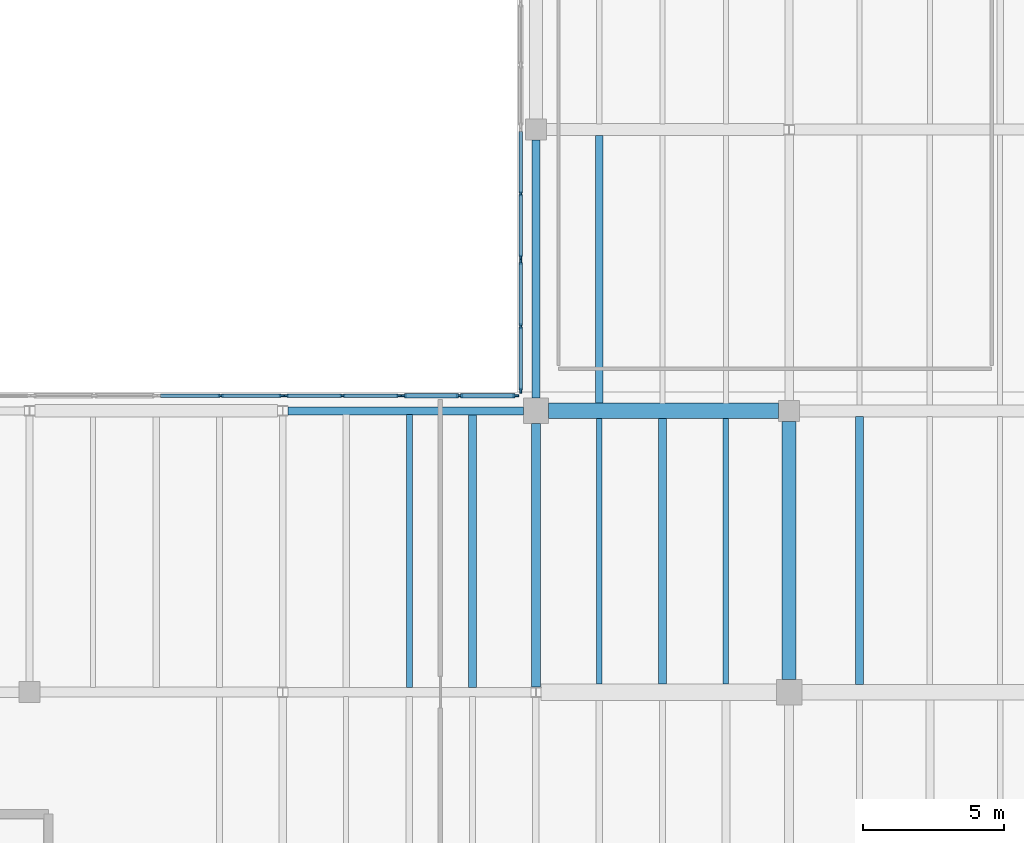
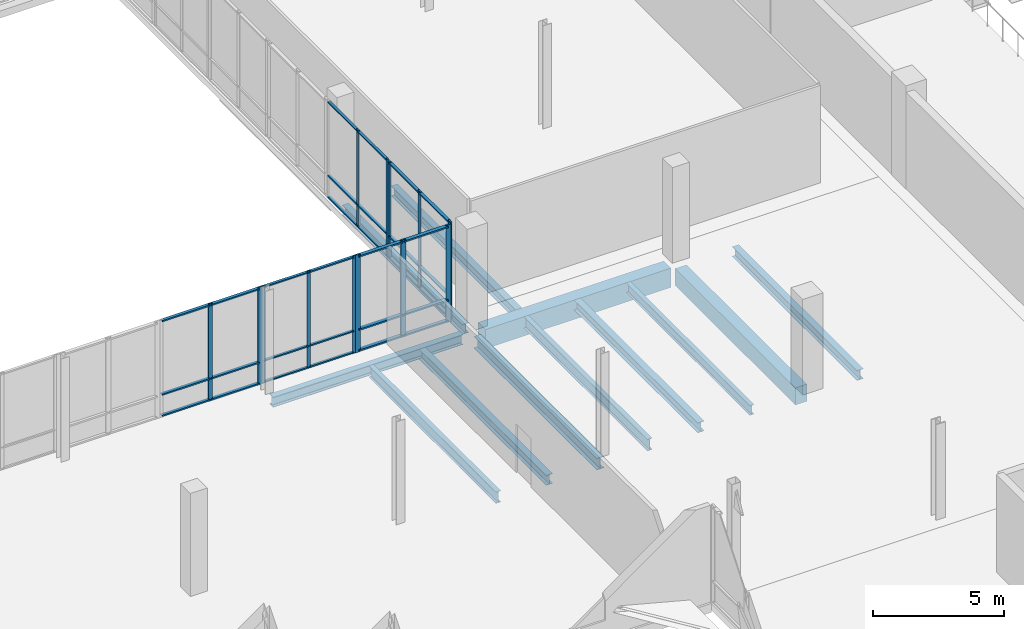
# One storey, part 15 of 41: 43 members, 12 beams, 5 elements without a shape of their own.
"""IFC4 building model written with IfcOpenShell, lengths in metres."""

from ifc_helpers import new_model, si_unit, direction, frame, origin, origin_2d, place, context, subcontext, project, spatial, rectangle, i_section, extrude, material, material_profile, profile_set, type_object, element, aggregate, save


model = new_model("IFC4")

# Units and contexts
model_context = context("Model", 3, precision=1e-05, world=origin(), true_north=direction((0.0, 1.0)))
body_context = subcontext(model_context, "Body", "Model", "MODEL_VIEW")
ifc_project = project(units=[si_unit("LENGTHUNIT", "METRE"), si_unit("AREAUNIT", "SQUARE_METRE"), si_unit("VOLUMEUNIT", "CUBIC_METRE"), si_unit("PLANEANGLEUNIT", "RADIAN"), si_unit("MASSUNIT", "GRAM", prefix="KILO")], contexts=[model_context])

# Site, building, storey
site_placement = place(None, origin())
site = spatial("IfcSite", under=ifc_project, at=site_placement, CompositionType="ELEMENT")
building_placement = place(site_placement, origin())
building = spatial("IfcBuilding", under=site, at=building_placement, Name="Trimount Lyric Opera House", CompositionType="ELEMENT")
storey_placement = place(building_placement, frame((0.0, 0.0, 20.0)))
storey = spatial("IfcBuildingStorey", under=building, at=storey_placement, Name="L04", CompositionType="ELEMENT", Elevation=20.0)

# Beams
ifc_material_1 = material(Name="Steel ASTM A992 Grade 50", Category="steel")
ifc_material_profile_1 = material_profile(ifc_material_1, i_section(OverallWidth=0.31201171875, OverallDepth=0.5458984375, WebThickness=0.013916015625, FlangeThickness=0.022216796875, FilletRadius=0.014892578125, at=origin_2d()), Name="W21X111")
ifc_profile_set_1 = profile_set([ifc_material_profile_1], Name="Steel ASTM A992 Grade 50")
beam_type_1 = type_object("IfcBeamType", Name="B-12", PredefinedType="BEAM", material=ifc_profile_set_1)
beam_1_placement = place(storey_placement, frame((45.0, 64.177978515625, -0.552978515625), z_axis=(0.0, 1.0, 0.0), x_axis=(-1.0, 0.0, 0.0)))
element("IfcBeam", 1, at=beam_1_placement, inside=storey, type_object=beam_type_1, Name="L04 girder Y-1200", PredefinedType="BEAM", context=body_context, shape_type="SweptSolid", body=[
    extrude(i_section(OverallWidth=0.31201171875, OverallDepth=0.5458984375, WebThickness=0.013916015625, FlangeThickness=0.022216796875, FilletRadius=0.014892578125, at=origin_2d()), origin(), (0.0, 0.0, 1.0), 9.3720703125),
])
ifc_material_2 = material(Name="Concrete C40/50", Category="concrete")
ifc_material_profile_2 = material_profile(ifc_material_2, rectangle(XDim=0.550048828125, YDim=0.89990234375, at=origin_2d()), Name="RC550X900")
ifc_profile_set_2 = profile_set([ifc_material_profile_2], Name="Concrete C40/50")
beam_type_2 = type_object("IfcBeamType", Name="B-14", PredefinedType="BEAM", material=ifc_profile_set_2)
beam_2_placement = place(storey_placement, frame((45.449951171875, 74.0, -0.72998046875), z_axis=(1.0, 0.0, 0.0), x_axis=(0.0, 1.0, 0.0)))
element("IfcBeam", 2, at=beam_2_placement, inside=storey, type_object=beam_type_2, Name="L04 girder X-1162", PredefinedType="BEAM", context=body_context, shape_type="SweptSolid", body=[
    extrude(rectangle(XDim=0.550048828125, YDim=0.89990234375, at=origin_2d()), origin(), (0.0, 0.0, 1.0), 8.175048828125),
])
ifc_material_3 = material(Name="Concrete C40/50", Category="concrete")
ifc_material_profile_3 = material_profile(ifc_material_3, rectangle(XDim=0.5, YDim=0.800048828125, at=origin_2d()), Name="RC500X800")
ifc_profile_set_3 = profile_set([ifc_material_profile_3], Name="Concrete C40/50")
beam_type_3 = type_object("IfcBeamType", Name="B-15", PredefinedType="BEAM", material=ifc_profile_set_3)
beam_3_placement = place(storey_placement, frame((54.0, 64.449951171875, -0.679931640625), z_axis=(0.0, 1.0, 0.0), x_axis=(-1.0, 0.0, 0.0)))
element("IfcBeam", 3, at=beam_3_placement, inside=storey, type_object=beam_type_3, Name="L04 girder Y-1210", PredefinedType="BEAM", context=body_context, shape_type="SweptSolid", body=[
    extrude(rectangle(XDim=0.5, YDim=0.800048828125, at=origin_2d()), origin(), (0.0, 0.0, 1.0), 9.175048828125),
])
ifc_material_4 = material(Name="Steel ASTM A992 Grade 50", Category="steel")
ifc_material_profile_4 = material_profile(ifc_material_4, i_section(OverallWidth=0.2099609375, OverallDepth=0.532958984375, WebThickness=0.01025390625, FlangeThickness=0.015625, FilletRadius=0.012939453125, at=origin_2d()), Name="W21X62")
ifc_profile_set_4 = profile_set([ifc_material_profile_4], Name="Steel ASTM A992 Grade 50")
beam_type_4 = type_object("IfcBeamType", Name="J-02", PredefinedType="BEAM", material=ifc_profile_set_4)
beam_4_placement = place(storey_placement, frame((40.5, 64.159912109375, -0.54638671875), z_axis=(0.0, 1.0, 0.0), x_axis=(-1.0, 0.0, 0.0)))
element("IfcBeam", 4, at=beam_4_placement, inside=storey, type_object=beam_type_4, Name="L04 composite floor joist 1145", PredefinedType="BEAM", context=body_context, shape_type="SweptSolid", body=[
    extrude(i_section(OverallWidth=0.2099609375, OverallDepth=0.532958984375, WebThickness=0.01025390625, FlangeThickness=0.015625, FilletRadius=0.012939453125, at=origin_2d()), origin(), (0.0, 0.0, 1.0), 9.703125),
])
beam_5_placement = place(storey_placement, frame((47.25, 64.2958984375, -0.54638671875), z_axis=(0.0, 1.0, 0.0), x_axis=(-1.0, 0.0, 0.0)))
element("IfcBeam", 5, at=beam_5_placement, inside=storey, type_object=beam_type_4, Name="L04 composite floor joist 1165", PredefinedType="BEAM", context=body_context, shape_type="SweptSolid", body=[
    extrude(i_section(OverallWidth=0.2099609375, OverallDepth=0.532958984375, WebThickness=0.01025390625, FlangeThickness=0.015625, FilletRadius=0.012939453125, at=origin_2d()), origin(), (0.0, 0.0, 1.0), 9.43310546875),
])
ifc_material_5 = material(Name="Steel ASTM A992 Grade 50", Category="steel")
ifc_material_profile_5 = material_profile(ifc_material_5, i_section(OverallWidth=0.281982421875, OverallDepth=0.467041015625, WebThickness=0.01220703125, FlangeThickness=0.01953125, FilletRadius=0.012939453125, at=origin_2d()), Name="W18X86")
ifc_profile_set_5 = profile_set([ifc_material_profile_5], Name="Steel ASTM A992 Grade 50")
beam_type_5 = type_object("IfcBeamType", Name="J-03", PredefinedType="BEAM", material=ifc_profile_set_5)
beam_6_placement = place(storey_placement, frame((42.75, 64.159912109375, -0.513427734375), z_axis=(0.0, 1.0, 0.0), x_axis=(-1.0, 0.0, 0.0)))
element("IfcBeam", 6, at=beam_6_placement, inside=storey, type_object=beam_type_5, Name="L04 composite floor joist 1146", PredefinedType="BEAM", context=body_context, shape_type="SweptSolid", body=[
    extrude(i_section(OverallWidth=0.281982421875, OverallDepth=0.467041015625, WebThickness=0.01220703125, FlangeThickness=0.01953125, FilletRadius=0.012939453125, at=origin_2d()), origin(), (0.0, 0.0, 1.0), 9.703125),
])
beam_7_placement = place(storey_placement, frame((49.5, 64.2958984375, -0.513427734375), z_axis=(0.0, 1.0, 0.0), x_axis=(-1.0, 0.0, 0.0)))
element("IfcBeam", 7, at=beam_7_placement, inside=storey, type_object=beam_type_5, Name="L04 composite floor joist 1166", PredefinedType="BEAM", context=body_context, shape_type="SweptSolid", body=[
    extrude(i_section(OverallWidth=0.281982421875, OverallDepth=0.467041015625, WebThickness=0.01220703125, FlangeThickness=0.01953125, FilletRadius=0.012939453125, at=origin_2d()), origin(), (0.0, 0.0, 1.0), 9.43310546875),
])
for number, where, z_axis, x_axis, name in (
    (8, (47.25, 74.27099609375, -0.513427734375), (0.0, 1.0, 0.0), (-1.0, 0.0, 0.0), "L04 composite floor joist 1168"),
    (9, (56.5, 64.27099609375, -0.513427734375), (0.0, 1.0, 0.0), (-1.0, 0.0, 0.0), "L04 composite floor joist 1186"),
):
    element("IfcBeam", number, at=place(storey_placement, frame(where, z_axis=z_axis, x_axis=x_axis)), inside=storey, type_object=beam_type_5, Name=name, PredefinedType="BEAM", context=body_context, shape_type="SweptSolid", body=[
        extrude(i_section(OverallWidth=0.281982421875, OverallDepth=0.467041015625, WebThickness=0.01220703125, FlangeThickness=0.01953125, FilletRadius=0.012939453125, at=origin_2d()), origin(), (0.0, 0.0, 1.0), 9.5234375),
    ])
ifc_material_6 = material(Name="Steel ASTM A992 Grade 50", Category="steel")
ifc_material_profile_6 = material_profile(ifc_material_6, i_section(OverallWidth=0.19091796875, OverallDepth=0.45703125, WebThickness=0.009033203125, FlangeThickness=0.014404296875, FilletRadius=0.010986328125, at=origin_2d()), Name="W18X50")
ifc_profile_set_6 = profile_set([ifc_material_profile_6], Name="Steel ASTM A992 Grade 50")
beam_type_6 = type_object("IfcBeamType", Name="J-04", PredefinedType="BEAM", material=ifc_profile_set_6)
beam_8_placement = place(storey_placement, frame((51.75, 64.2958984375, -0.508544921875), z_axis=(0.0, 1.0, 0.0), x_axis=(-1.0, 0.0, 0.0)))
element("IfcBeam", 10, at=beam_8_placement, inside=storey, type_object=beam_type_6, Name="L04 composite floor joist 1167", PredefinedType="BEAM", context=body_context, shape_type="SweptSolid", body=[
    extrude(i_section(OverallWidth=0.19091796875, OverallDepth=0.45703125, WebThickness=0.009033203125, FlangeThickness=0.014404296875, FilletRadius=0.010986328125, at=origin_2d()), origin(), (0.0, 0.0, 1.0), 9.43310546875),
])

# Curtain wall, members
ifc_material_7 = material(Name="Thermally Broken Aluminium and Low-E Glass", Category="aluminium")
curtain_wall_type = type_object("IfcCurtainWallType", Name="CW-03", PredefinedType="NOTDEFINED", material=ifc_material_7)
curtain_wall_1_placement = place(storey_placement, origin())
curtain_wall_1 = element("IfcCurtainWall", 11, at=curtain_wall_1_placement, inside=storey, type_object=curtain_wall_type, Name="L04 curtain wall 312", PredefinedType="NOTDEFINED")
ifc_material_8 = material(Name="Anodised Aluminium 6063-T6", Category="aluminium")
ifc_material_profile_7 = material_profile(ifc_material_8, rectangle(XDim=0.070068359375, YDim=0.219970703125, at=origin_2d()), Name="ALU-MULL-70X220")
ifc_profile_set_7 = profile_set([ifc_material_profile_7], Name="Anodised Aluminium 6063-T6")
member_type_1 = type_object("IfcMemberType", Name="ML-01", PredefinedType="MULLION", material=ifc_profile_set_7)
member_1_placement = place(storey_placement, frame((40.284912109375, 74.5400390625, 0.0), z_axis=(0.0, 0.0, 1.0), x_axis=(0.0, 1.0, 0.0)))
member_1 = element("IfcMember", 12, at=member_1_placement, type_object=member_type_1, Name="CW-03 mullion 1", PredefinedType="MULLION", context=body_context, shape_type="SweptSolid", body=[
    extrude(rectangle(XDim=0.070068359375, YDim=0.219970703125, at=origin_2d()), origin(), (0.0, 0.0, 1.0), 4.5400390625),
])
member_2_placement = place(storey_placement, frame((42.284912109375, 74.5400390625, 0.0), z_axis=(0.0, 0.0, 1.0), x_axis=(0.0, 1.0, 0.0)))
member_2 = element("IfcMember", 13, at=member_2_placement, type_object=member_type_1, Name="CW-03 mullion 2", PredefinedType="MULLION", context=body_context, shape_type="SweptSolid", body=[
    extrude(rectangle(XDim=0.070068359375, YDim=0.219970703125, at=origin_2d()), origin(), (0.0, 0.0, 1.0), 4.5400390625),
])
member_3_placement = place(storey_placement, frame((44.284912109375, 74.5400390625, 0.0), z_axis=(0.0, 0.0, 1.0), x_axis=(0.0, 1.0, 0.0)))
member_3 = element("IfcMember", 14, at=member_3_placement, type_object=member_type_1, Name="CW-03 mullion 3", PredefinedType="MULLION", context=body_context, shape_type="SweptSolid", body=[
    extrude(rectangle(XDim=0.070068359375, YDim=0.219970703125, at=origin_2d()), origin(), (0.0, 0.0, 1.0), 4.5400390625),
])

curtain_wall_2_placement = place(storey_placement, origin())
curtain_wall_2 = element("IfcCurtainWall", 15, at=curtain_wall_2_placement, inside=storey, type_object=curtain_wall_type, Name="L04 curtain wall 310", PredefinedType="NOTDEFINED")
ifc_material_9 = material(Name="Anodised Aluminium 6063-T6", Category="aluminium")
ifc_material_profile_8 = material_profile(ifc_material_9, rectangle(XDim=0.06494140625, YDim=0.179931640625, at=origin_2d()), Name="ALU-MULL-65X180")
ifc_profile_set_8 = profile_set([ifc_material_profile_8], Name="Anodised Aluminium 6063-T6")
member_type_2 = type_object("IfcMemberType", Name="ML-02", PredefinedType="MULLION", material=ifc_profile_set_8)
member_4_placement = place(storey_placement, frame((33.794921875, 74.5400390625, 0.0), z_axis=(0.0, 0.0, 1.0), x_axis=(0.0, 1.0, 0.0)))
member_4 = element("IfcMember", 16, at=member_4_placement, type_object=member_type_2, Name="CW-03 mullion 2", PredefinedType="MULLION", context=body_context, shape_type="SweptSolid", body=[
    extrude(rectangle(XDim=0.06494140625, YDim=0.179931640625, at=origin_2d()), origin(), (0.0, 0.0, 1.0), 4.5400390625),
])
member_5_placement = place(storey_placement, frame((35.967529296875, 74.5400390625, 0.0), z_axis=(0.0, 0.0, 1.0), x_axis=(0.0, 1.0, 0.0)))
member_5 = element("IfcMember", 17, at=member_5_placement, type_object=member_type_2, Name="CW-03 mullion 3", PredefinedType="MULLION", context=body_context, shape_type="SweptSolid", body=[
    extrude(rectangle(XDim=0.06494140625, YDim=0.179931640625, at=origin_2d()), origin(), (0.0, 0.0, 1.0), 4.5400390625),
])

curtain_wall_3_placement = place(storey_placement, origin())
curtain_wall_3 = element("IfcCurtainWall", 18, at=curtain_wall_3_placement, inside=storey, type_object=curtain_wall_type, Name="L04 curtain wall 313", PredefinedType="NOTDEFINED")
member_6_placement = place(storey_placement, frame((44.4599609375, 74.71240234375, 0.0), z_axis=(0.0, 0.0, 1.0), x_axis=(-1.0, 0.0, 0.0)))
member_6 = element("IfcMember", 19, at=member_6_placement, type_object=member_type_2, Name="CW-03 mullion 1", PredefinedType="MULLION", context=body_context, shape_type="SweptSolid", body=[
    extrude(rectangle(XDim=0.06494140625, YDim=0.179931640625, at=origin_2d()), origin(), (0.0, 0.0, 1.0), 4.5400390625),
])
member_7_placement = place(storey_placement, frame((44.4599609375, 77.010009765625, 0.0), z_axis=(0.0, 0.0, 1.0), x_axis=(-1.0, 0.0, 0.0)))
member_7 = element("IfcMember", 20, at=member_7_placement, type_object=member_type_2, Name="CW-03 mullion 2", PredefinedType="MULLION", context=body_context, shape_type="SweptSolid", body=[
    extrude(rectangle(XDim=0.06494140625, YDim=0.179931640625, at=origin_2d()), origin(), (0.0, 0.0, 1.0), 4.5400390625),
])
member_8_placement = place(storey_placement, frame((44.4599609375, 79.3076171875, 0.0), z_axis=(0.0, 0.0, 1.0), x_axis=(-1.0, 0.0, 0.0)))
member_8 = element("IfcMember", 21, at=member_8_placement, type_object=member_type_2, Name="CW-03 mullion 3", PredefinedType="MULLION", context=body_context, shape_type="SweptSolid", body=[
    extrude(rectangle(XDim=0.06494140625, YDim=0.179931640625, at=origin_2d()), origin(), (0.0, 0.0, 1.0), 4.5400390625),
])

curtain_wall_4_placement = place(storey_placement, origin())
curtain_wall_4 = element("IfcCurtainWall", 22, at=curtain_wall_4_placement, inside=storey, type_object=curtain_wall_type, Name="L04 curtain wall 311", PredefinedType="NOTDEFINED")
ifc_material_10 = material(Name="Anodised Aluminium 6063-T6", Category="aluminium")
ifc_material_profile_9 = material_profile(ifc_material_10, rectangle(XDim=0.06005859375, YDim=0.14990234375, at=origin_2d()), Name="ALU-MULL-60X150")
ifc_profile_set_9 = profile_set([ifc_material_profile_9], Name="Anodised Aluminium 6063-T6")
member_type_3 = type_object("IfcMemberType", Name="ML-03", PredefinedType="MULLION", material=ifc_profile_set_9)
member_9_placement = place(storey_placement, frame((36.1201171875, 74.5400390625, 0.0), z_axis=(0.0, 0.0, 1.0), x_axis=(0.0, 1.0, 0.0)))
member_9 = element("IfcMember", 23, at=member_9_placement, type_object=member_type_3, Name="CW-03 mullion 1", PredefinedType="MULLION", context=body_context, shape_type="SweptSolid", body=[
    extrude(rectangle(XDim=0.06005859375, YDim=0.14990234375, at=origin_2d()), origin(), (0.0, 0.0, 1.0), 4.5400390625),
])
member_10_placement = place(storey_placement, frame((38.125, 74.5400390625, 0.0), z_axis=(0.0, 0.0, 1.0), x_axis=(0.0, 1.0, 0.0)))
member_10 = element("IfcMember", 24, at=member_10_placement, type_object=member_type_3, Name="CW-03 mullion 2", PredefinedType="MULLION", context=body_context, shape_type="SweptSolid", body=[
    extrude(rectangle(XDim=0.06005859375, YDim=0.14990234375, at=origin_2d()), origin(), (0.0, 0.0, 1.0), 4.5400390625),
])
member_11_placement = place(storey_placement, frame((40.1298828125, 74.5400390625, 0.0), z_axis=(0.0, 0.0, 1.0), x_axis=(0.0, 1.0, 0.0)))
member_11 = element("IfcMember", 25, at=member_11_placement, type_object=member_type_3, Name="CW-03 mullion 3", PredefinedType="MULLION", context=body_context, shape_type="SweptSolid", body=[
    extrude(rectangle(XDim=0.06005859375, YDim=0.14990234375, at=origin_2d()), origin(), (0.0, 0.0, 1.0), 4.5400390625),
])

curtain_wall_5_placement = place(storey_placement, origin())
curtain_wall_5 = element("IfcCurtainWall", 26, at=curtain_wall_5_placement, inside=storey, type_object=curtain_wall_type, Name="L04 curtain wall 314", PredefinedType="NOTDEFINED")
member_12_placement = place(storey_placement, frame((44.4599609375, 79.4599609375, 0.0), z_axis=(0.0, 0.0, 1.0), x_axis=(-1.0, 0.0, 0.0)))
member_12 = element("IfcMember", 27, at=member_12_placement, type_object=member_type_3, Name="CW-03 mullion 1", PredefinedType="MULLION", context=body_context, shape_type="SweptSolid", body=[
    extrude(rectangle(XDim=0.06005859375, YDim=0.14990234375, at=origin_2d()), origin(), (0.0, 0.0, 1.0), 4.5400390625),
])
member_13_placement = place(storey_placement, frame((44.4599609375, 81.715087890625, 0.0), z_axis=(0.0, 0.0, 1.0), x_axis=(-1.0, 0.0, 0.0)))
member_13 = element("IfcMember", 28, at=member_13_placement, type_object=member_type_3, Name="CW-03 mullion 2", PredefinedType="MULLION", context=body_context, shape_type="SweptSolid", body=[
    extrude(rectangle(XDim=0.06005859375, YDim=0.14990234375, at=origin_2d()), origin(), (0.0, 0.0, 1.0), 4.5400390625),
])

# Beams
ifc_material_11 = material(Name="Steel ASTM A992 Grade 50", Category="steel")
ifc_material_profile_10 = material_profile(ifc_material_11, i_section(OverallWidth=0.281982421875, OverallDepth=0.467041015625, WebThickness=0.01220703125, FlangeThickness=0.01953125, FilletRadius=0.012939453125, at=origin_2d()), Name="W18X86")
ifc_profile_set_10 = profile_set([ifc_material_profile_10], Name="Steel ASTM A992 Grade 50")
beam_type_7 = type_object("IfcBeamType", Name="SP-01", PredefinedType="SPANDREL", material=ifc_profile_set_10)
beam_9_placement = place(storey_placement, frame((36.18408203125, 74.0, -0.513427734375), z_axis=(1.0, 0.0, 0.0), x_axis=(0.0, 1.0, 0.0)))
element("IfcBeam", 29, at=beam_9_placement, inside=storey, type_object=beam_type_7, Name="L04 girder X-1161", PredefinedType="SPANDREL", context=body_context, shape_type="SweptSolid", body=[
    extrude(i_section(OverallWidth=0.281982421875, OverallDepth=0.467041015625, WebThickness=0.01220703125, FlangeThickness=0.01953125, FilletRadius=0.012939453125, at=origin_2d()), origin(), (0.0, 0.0, 1.0), 8.365966796875),
])
beam_10_placement = place(storey_placement, frame((45.0, 74.449951171875, -0.513427734375), z_axis=(0.0, 1.0, 0.0), x_axis=(-1.0, 0.0, 0.0)))
element("IfcBeam", 30, at=beam_10_placement, inside=storey, type_object=beam_type_7, Name="L04 girder Y-1201", PredefinedType="SPANDREL", context=body_context, shape_type="SweptSolid", body=[
    extrude(i_section(OverallWidth=0.281982421875, OverallDepth=0.467041015625, WebThickness=0.01220703125, FlangeThickness=0.01953125, FilletRadius=0.012939453125, at=origin_2d()), origin(), (0.0, 0.0, 1.0), 9.175048828125),
])

# Member
ifc_material_12 = material(Name="Anodised Aluminium 6063-T6", Category="aluminium")
ifc_material_profile_11 = material_profile(ifc_material_12, rectangle(XDim=0.159912109375, YDim=0.070068359375, at=origin_2d()), Name="ALU-TRAN-70X160")
ifc_profile_set_11 = profile_set([ifc_material_profile_11], Name="Anodised Aluminium 6063-T6")
member_type_4 = type_object("IfcMemberType", Name="TR-01", PredefinedType="USERDEFINED", material=ifc_profile_set_11)
member_14_placement = place(storey_placement, frame((40.320068359375, 74.5400390625, 0.080078125), z_axis=(1.0, 0.0, 0.0), x_axis=(0.0, 1.0, 0.0)))
member_14 = element("IfcMember", 31, at=member_14_placement, type_object=member_type_4, Name="CW-03 transom 1.1", ObjectType="TRANSOM", PredefinedType="USERDEFINED", context=body_context, shape_type="SweptSolid", body=[
    extrude(rectangle(XDim=0.159912109375, YDim=0.070068359375, at=origin_2d()), origin(), (0.0, 0.0, 1.0), 1.929931640625),
])

member_15_placement = place(storey_placement, frame((40.320068359375, 74.5400390625, 1.050048828125), z_axis=(1.0, 0.0, 0.0), x_axis=(0.0, 1.0, 0.0)))
member_15 = element("IfcMember", 32, at=member_15_placement, type_object=member_type_4, Name="CW-03 transom 1.2", ObjectType="TRANSOM", PredefinedType="USERDEFINED", context=body_context, shape_type="SweptSolid", body=[
    extrude(rectangle(XDim=0.159912109375, YDim=0.070068359375, at=origin_2d()), origin(), (0.0, 0.0, 1.0), 1.929931640625),
])

member_16_placement = place(storey_placement, frame((40.320068359375, 74.5400390625, 4.4599609375), z_axis=(1.0, 0.0, 0.0), x_axis=(0.0, 1.0, 0.0)))
member_16 = element("IfcMember", 33, at=member_16_placement, type_object=member_type_4, Name="CW-03 transom 1.3", ObjectType="TRANSOM", PredefinedType="USERDEFINED", context=body_context, shape_type="SweptSolid", body=[
    extrude(rectangle(XDim=0.159912109375, YDim=0.070068359375, at=origin_2d()), origin(), (0.0, 0.0, 1.0), 1.929931640625),
])

member_17_placement = place(storey_placement, frame((42.320068359375, 74.5400390625, 0.080078125), z_axis=(1.0, 0.0, 0.0), x_axis=(0.0, 1.0, 0.0)))
member_17 = element("IfcMember", 34, at=member_17_placement, type_object=member_type_4, Name="CW-03 transom 2.1", ObjectType="TRANSOM", PredefinedType="USERDEFINED", context=body_context, shape_type="SweptSolid", body=[
    extrude(rectangle(XDim=0.159912109375, YDim=0.070068359375, at=origin_2d()), origin(), (0.0, 0.0, 1.0), 1.929931640625),
])

member_18_placement = place(storey_placement, frame((42.320068359375, 74.5400390625, 1.050048828125), z_axis=(1.0, 0.0, 0.0), x_axis=(0.0, 1.0, 0.0)))
member_18 = element("IfcMember", 35, at=member_18_placement, type_object=member_type_4, Name="CW-03 transom 2.2", ObjectType="TRANSOM", PredefinedType="USERDEFINED", context=body_context, shape_type="SweptSolid", body=[
    extrude(rectangle(XDim=0.159912109375, YDim=0.070068359375, at=origin_2d()), origin(), (0.0, 0.0, 1.0), 1.929931640625),
])

member_19_placement = place(storey_placement, frame((42.320068359375, 74.5400390625, 4.4599609375), z_axis=(1.0, 0.0, 0.0), x_axis=(0.0, 1.0, 0.0)))
member_19 = element("IfcMember", 36, at=member_19_placement, type_object=member_type_4, Name="CW-03 transom 2.3", ObjectType="TRANSOM", PredefinedType="USERDEFINED", context=body_context, shape_type="SweptSolid", body=[
    extrude(rectangle(XDim=0.159912109375, YDim=0.070068359375, at=origin_2d()), origin(), (0.0, 0.0, 1.0), 1.929931640625),
])

aggregate(curtain_wall_1, [member_1, member_2, member_3, member_14, member_15, member_16, member_17, member_18, member_19])

ifc_material_13 = material(Name="Anodised Aluminium 6063-T6", Category="aluminium")
ifc_material_profile_12 = material_profile(ifc_material_13, rectangle(XDim=0.135009765625, YDim=0.06494140625, at=origin_2d()), Name="ALU-TRAN-65X135")
ifc_profile_set_12 = profile_set([ifc_material_profile_12], Name="Anodised Aluminium 6063-T6")
member_type_5 = type_object("IfcMemberType", Name="TR-02", PredefinedType="USERDEFINED", material=ifc_profile_set_12)
member_20_placement = place(storey_placement, frame((31.655029296875, 74.5400390625, 0.0673828125), z_axis=(1.0, 0.0, 0.0), x_axis=(0.0, 1.0, 0.0)))
member_20 = element("IfcMember", 37, at=member_20_placement, type_object=member_type_5, Name="CW-03 transom 1.1", ObjectType="TRANSOM", PredefinedType="USERDEFINED", context=body_context, shape_type="SweptSolid", body=[
    extrude(rectangle(XDim=0.135009765625, YDim=0.06494140625, at=origin_2d()), origin(), (0.0, 0.0, 1.0), 2.107421875),
])

member_21_placement = place(storey_placement, frame((31.655029296875, 74.5400390625, 1.050048828125), z_axis=(1.0, 0.0, 0.0), x_axis=(0.0, 1.0, 0.0)))
member_21 = element("IfcMember", 38, at=member_21_placement, type_object=member_type_5, Name="CW-03 transom 1.2", ObjectType="TRANSOM", PredefinedType="USERDEFINED", context=body_context, shape_type="SweptSolid", body=[
    extrude(rectangle(XDim=0.135009765625, YDim=0.06494140625, at=origin_2d()), origin(), (0.0, 0.0, 1.0), 2.107421875),
])

member_22_placement = place(storey_placement, frame((31.655029296875, 74.5400390625, 4.472412109375), z_axis=(1.0, 0.0, 0.0), x_axis=(0.0, 1.0, 0.0)))
member_22 = element("IfcMember", 39, at=member_22_placement, type_object=member_type_5, Name="CW-03 transom 1.3", ObjectType="TRANSOM", PredefinedType="USERDEFINED", context=body_context, shape_type="SweptSolid", body=[
    extrude(rectangle(XDim=0.135009765625, YDim=0.06494140625, at=origin_2d()), origin(), (0.0, 0.0, 1.0), 2.107421875),
])

member_23_placement = place(storey_placement, frame((33.827392578125, 74.5400390625, 0.0673828125), z_axis=(1.0, 0.0, 0.0), x_axis=(0.0, 1.0, 0.0)))
member_23 = element("IfcMember", 40, at=member_23_placement, type_object=member_type_5, Name="CW-03 transom 2.1", ObjectType="TRANSOM", PredefinedType="USERDEFINED", context=body_context, shape_type="SweptSolid", body=[
    extrude(rectangle(XDim=0.135009765625, YDim=0.06494140625, at=origin_2d()), origin(), (0.0, 0.0, 1.0), 2.107666015625),
])

member_24_placement = place(storey_placement, frame((33.827392578125, 74.5400390625, 1.050048828125), z_axis=(1.0, 0.0, 0.0), x_axis=(0.0, 1.0, 0.0)))
member_24 = element("IfcMember", 41, at=member_24_placement, type_object=member_type_5, Name="CW-03 transom 2.2", ObjectType="TRANSOM", PredefinedType="USERDEFINED", context=body_context, shape_type="SweptSolid", body=[
    extrude(rectangle(XDim=0.135009765625, YDim=0.06494140625, at=origin_2d()), origin(), (0.0, 0.0, 1.0), 2.107666015625),
])

member_25_placement = place(storey_placement, frame((33.827392578125, 74.5400390625, 4.472412109375), z_axis=(1.0, 0.0, 0.0), x_axis=(0.0, 1.0, 0.0)))
member_25 = element("IfcMember", 42, at=member_25_placement, type_object=member_type_5, Name="CW-03 transom 2.3", ObjectType="TRANSOM", PredefinedType="USERDEFINED", context=body_context, shape_type="SweptSolid", body=[
    extrude(rectangle(XDim=0.135009765625, YDim=0.06494140625, at=origin_2d()), origin(), (0.0, 0.0, 1.0), 2.107666015625),
])

aggregate(curtain_wall_2, [member_4, member_5, member_20, member_21, member_22, member_23, member_24, member_25])

member_26_placement = place(storey_placement, frame((44.4599609375, 74.7451171875, 0.0673828125), z_axis=(0.0, 1.0, 0.0), x_axis=(-1.0, 0.0, 0.0)))
member_26 = element("IfcMember", 43, at=member_26_placement, type_object=member_type_5, Name="CW-03 transom 1.1", ObjectType="TRANSOM", PredefinedType="USERDEFINED", context=body_context, shape_type="SweptSolid", body=[
    extrude(rectangle(XDim=0.135009765625, YDim=0.06494140625, at=origin_2d()), origin(), (0.0, 0.0, 1.0), 2.232421875),
])

member_27_placement = place(storey_placement, frame((44.4599609375, 74.7451171875, 1.050048828125), z_axis=(0.0, 1.0, 0.0), x_axis=(-1.0, 0.0, 0.0)))
member_27 = element("IfcMember", 44, at=member_27_placement, type_object=member_type_5, Name="CW-03 transom 1.2", ObjectType="TRANSOM", PredefinedType="USERDEFINED", context=body_context, shape_type="SweptSolid", body=[
    extrude(rectangle(XDim=0.135009765625, YDim=0.06494140625, at=origin_2d()), origin(), (0.0, 0.0, 1.0), 2.232421875),
])

member_28_placement = place(storey_placement, frame((44.4599609375, 74.7451171875, 4.472412109375), z_axis=(0.0, 1.0, 0.0), x_axis=(-1.0, 0.0, 0.0)))
member_28 = element("IfcMember", 45, at=member_28_placement, type_object=member_type_5, Name="CW-03 transom 1.3", ObjectType="TRANSOM", PredefinedType="USERDEFINED", context=body_context, shape_type="SweptSolid", body=[
    extrude(rectangle(XDim=0.135009765625, YDim=0.06494140625, at=origin_2d()), origin(), (0.0, 0.0, 1.0), 2.232421875),
])

member_29_placement = place(storey_placement, frame((44.4599609375, 77.04248046875, 0.0673828125), z_axis=(0.0, 1.0, 0.0), x_axis=(-1.0, 0.0, 0.0)))
member_29 = element("IfcMember", 46, at=member_29_placement, type_object=member_type_5, Name="CW-03 transom 2.1", ObjectType="TRANSOM", PredefinedType="USERDEFINED", context=body_context, shape_type="SweptSolid", body=[
    extrude(rectangle(XDim=0.135009765625, YDim=0.06494140625, at=origin_2d()), origin(), (0.0, 0.0, 1.0), 2.232421875),
])

member_30_placement = place(storey_placement, frame((44.4599609375, 77.04248046875, 1.050048828125), z_axis=(0.0, 1.0, 0.0), x_axis=(-1.0, 0.0, 0.0)))
member_30 = element("IfcMember", 47, at=member_30_placement, type_object=member_type_5, Name="CW-03 transom 2.2", ObjectType="TRANSOM", PredefinedType="USERDEFINED", context=body_context, shape_type="SweptSolid", body=[
    extrude(rectangle(XDim=0.135009765625, YDim=0.06494140625, at=origin_2d()), origin(), (0.0, 0.0, 1.0), 2.232421875),
])

member_31_placement = place(storey_placement, frame((44.4599609375, 77.04248046875, 4.472412109375), z_axis=(0.0, 1.0, 0.0), x_axis=(-1.0, 0.0, 0.0)))
member_31 = element("IfcMember", 48, at=member_31_placement, type_object=member_type_5, Name="CW-03 transom 2.3", ObjectType="TRANSOM", PredefinedType="USERDEFINED", context=body_context, shape_type="SweptSolid", body=[
    extrude(rectangle(XDim=0.135009765625, YDim=0.06494140625, at=origin_2d()), origin(), (0.0, 0.0, 1.0), 2.232421875),
])

aggregate(curtain_wall_3, [member_6, member_7, member_8, member_26, member_27, member_28, member_29, member_30, member_31])

ifc_material_14 = material(Name="Anodised Aluminium 6063-T6", Category="aluminium")
ifc_material_profile_13 = material_profile(ifc_material_14, rectangle(XDim=0.114990234375, YDim=0.06005859375, at=origin_2d()), Name="ALU-TRAN-60X115")
ifc_profile_set_13 = profile_set([ifc_material_profile_13], Name="Anodised Aluminium 6063-T6")
member_type_6 = type_object("IfcMemberType", Name="TR-03", PredefinedType="USERDEFINED", material=ifc_profile_set_13)
member_32_placement = place(storey_placement, frame((36.14990234375, 74.5400390625, 0.0576171875), z_axis=(1.0, 0.0, 0.0), x_axis=(0.0, 1.0, 0.0)))
member_32 = element("IfcMember", 49, at=member_32_placement, type_object=member_type_6, Name="CW-03 transom 1.1", ObjectType="TRANSOM", PredefinedType="USERDEFINED", context=body_context, shape_type="SweptSolid", body=[
    extrude(rectangle(XDim=0.114990234375, YDim=0.06005859375, at=origin_2d()), origin(), (0.0, 0.0, 1.0), 1.945068359375),
])

member_33_placement = place(storey_placement, frame((36.14990234375, 74.5400390625, 1.050048828125), z_axis=(1.0, 0.0, 0.0), x_axis=(0.0, 1.0, 0.0)))
member_33 = element("IfcMember", 50, at=member_33_placement, type_object=member_type_6, Name="CW-03 transom 1.2", ObjectType="TRANSOM", PredefinedType="USERDEFINED", context=body_context, shape_type="SweptSolid", body=[
    extrude(rectangle(XDim=0.114990234375, YDim=0.06005859375, at=origin_2d()), origin(), (0.0, 0.0, 1.0), 1.945068359375),
])

member_34_placement = place(storey_placement, frame((36.14990234375, 74.5400390625, 4.482421875), z_axis=(1.0, 0.0, 0.0), x_axis=(0.0, 1.0, 0.0)))
member_34 = element("IfcMember", 51, at=member_34_placement, type_object=member_type_6, Name="CW-03 transom 1.3", ObjectType="TRANSOM", PredefinedType="USERDEFINED", context=body_context, shape_type="SweptSolid", body=[
    extrude(rectangle(XDim=0.114990234375, YDim=0.06005859375, at=origin_2d()), origin(), (0.0, 0.0, 1.0), 1.945068359375),
])

member_35_placement = place(storey_placement, frame((38.155029296875, 74.5400390625, 0.0576171875), z_axis=(1.0, 0.0, 0.0), x_axis=(0.0, 1.0, 0.0)))
member_35 = element("IfcMember", 52, at=member_35_placement, type_object=member_type_6, Name="CW-03 transom 2.1", ObjectType="TRANSOM", PredefinedType="USERDEFINED", context=body_context, shape_type="SweptSolid", body=[
    extrude(rectangle(XDim=0.114990234375, YDim=0.06005859375, at=origin_2d()), origin(), (0.0, 0.0, 1.0), 1.945068359375),
])

member_36_placement = place(storey_placement, frame((38.155029296875, 74.5400390625, 1.050048828125), z_axis=(1.0, 0.0, 0.0), x_axis=(0.0, 1.0, 0.0)))
member_36 = element("IfcMember", 53, at=member_36_placement, type_object=member_type_6, Name="CW-03 transom 2.2", ObjectType="TRANSOM", PredefinedType="USERDEFINED", context=body_context, shape_type="SweptSolid", body=[
    extrude(rectangle(XDim=0.114990234375, YDim=0.06005859375, at=origin_2d()), origin(), (0.0, 0.0, 1.0), 1.945068359375),
])

member_37_placement = place(storey_placement, frame((38.155029296875, 74.5400390625, 4.482421875), z_axis=(1.0, 0.0, 0.0), x_axis=(0.0, 1.0, 0.0)))
member_37 = element("IfcMember", 54, at=member_37_placement, type_object=member_type_6, Name="CW-03 transom 2.3", ObjectType="TRANSOM", PredefinedType="USERDEFINED", context=body_context, shape_type="SweptSolid", body=[
    extrude(rectangle(XDim=0.114990234375, YDim=0.06005859375, at=origin_2d()), origin(), (0.0, 0.0, 1.0), 1.945068359375),
])

aggregate(curtain_wall_4, [member_9, member_10, member_11, member_32, member_33, member_34, member_35, member_36, member_37])

member_38_placement = place(storey_placement, frame((44.4599609375, 79.489990234375, 0.0576171875), z_axis=(0.0, 1.0, 0.0), x_axis=(-1.0, 0.0, 0.0)))
member_38 = element("IfcMember", 55, at=member_38_placement, type_object=member_type_6, Name="CW-03 transom 1.1", ObjectType="TRANSOM", PredefinedType="USERDEFINED", context=body_context, shape_type="SweptSolid", body=[
    extrude(rectangle(XDim=0.114990234375, YDim=0.06005859375, at=origin_2d()), origin(), (0.0, 0.0, 1.0), 2.195068359375),
])

member_39_placement = place(storey_placement, frame((44.4599609375, 79.489990234375, 1.050048828125), z_axis=(0.0, 1.0, 0.0), x_axis=(-1.0, 0.0, 0.0)))
member_39 = element("IfcMember", 56, at=member_39_placement, type_object=member_type_6, Name="CW-03 transom 1.2", ObjectType="TRANSOM", PredefinedType="USERDEFINED", context=body_context, shape_type="SweptSolid", body=[
    extrude(rectangle(XDim=0.114990234375, YDim=0.06005859375, at=origin_2d()), origin(), (0.0, 0.0, 1.0), 2.195068359375),
])

member_40_placement = place(storey_placement, frame((44.4599609375, 79.489990234375, 4.482421875), z_axis=(0.0, 1.0, 0.0), x_axis=(-1.0, 0.0, 0.0)))
member_40 = element("IfcMember", 57, at=member_40_placement, type_object=member_type_6, Name="CW-03 transom 1.3", ObjectType="TRANSOM", PredefinedType="USERDEFINED", context=body_context, shape_type="SweptSolid", body=[
    extrude(rectangle(XDim=0.114990234375, YDim=0.06005859375, at=origin_2d()), origin(), (0.0, 0.0, 1.0), 2.195068359375),
])

member_41_placement = place(storey_placement, frame((44.4599609375, 81.7451171875, 0.0576171875), z_axis=(0.0, 1.0, 0.0), x_axis=(-1.0, 0.0, 0.0)))
member_41 = element("IfcMember", 58, at=member_41_placement, type_object=member_type_6, Name="CW-03 transom 2.1", ObjectType="TRANSOM", PredefinedType="USERDEFINED", context=body_context, shape_type="SweptSolid", body=[
    extrude(rectangle(XDim=0.114990234375, YDim=0.06005859375, at=origin_2d()), origin(), (0.0, 0.0, 1.0), 2.19482421875),
])

member_42_placement = place(storey_placement, frame((44.4599609375, 81.7451171875, 1.050048828125), z_axis=(0.0, 1.0, 0.0), x_axis=(-1.0, 0.0, 0.0)))
member_42 = element("IfcMember", 59, at=member_42_placement, type_object=member_type_6, Name="CW-03 transom 2.2", ObjectType="TRANSOM", PredefinedType="USERDEFINED", context=body_context, shape_type="SweptSolid", body=[
    extrude(rectangle(XDim=0.114990234375, YDim=0.06005859375, at=origin_2d()), origin(), (0.0, 0.0, 1.0), 2.19482421875),
])

member_43_placement = place(storey_placement, frame((44.4599609375, 81.7451171875, 4.482421875), z_axis=(0.0, 1.0, 0.0), x_axis=(-1.0, 0.0, 0.0)))
member_43 = element("IfcMember", 60, at=member_43_placement, type_object=member_type_6, Name="CW-03 transom 2.3", ObjectType="TRANSOM", PredefinedType="USERDEFINED", context=body_context, shape_type="SweptSolid", body=[
    extrude(rectangle(XDim=0.114990234375, YDim=0.06005859375, at=origin_2d()), origin(), (0.0, 0.0, 1.0), 2.19482421875),
])

aggregate(curtain_wall_5, [member_12, member_13, member_38, member_39, member_40, member_41, member_42, member_43])

save(model, "model.ifc")
